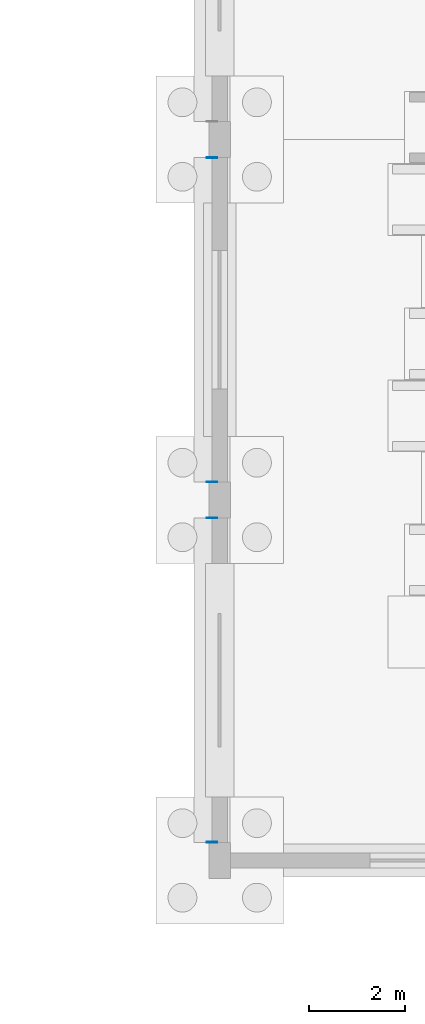
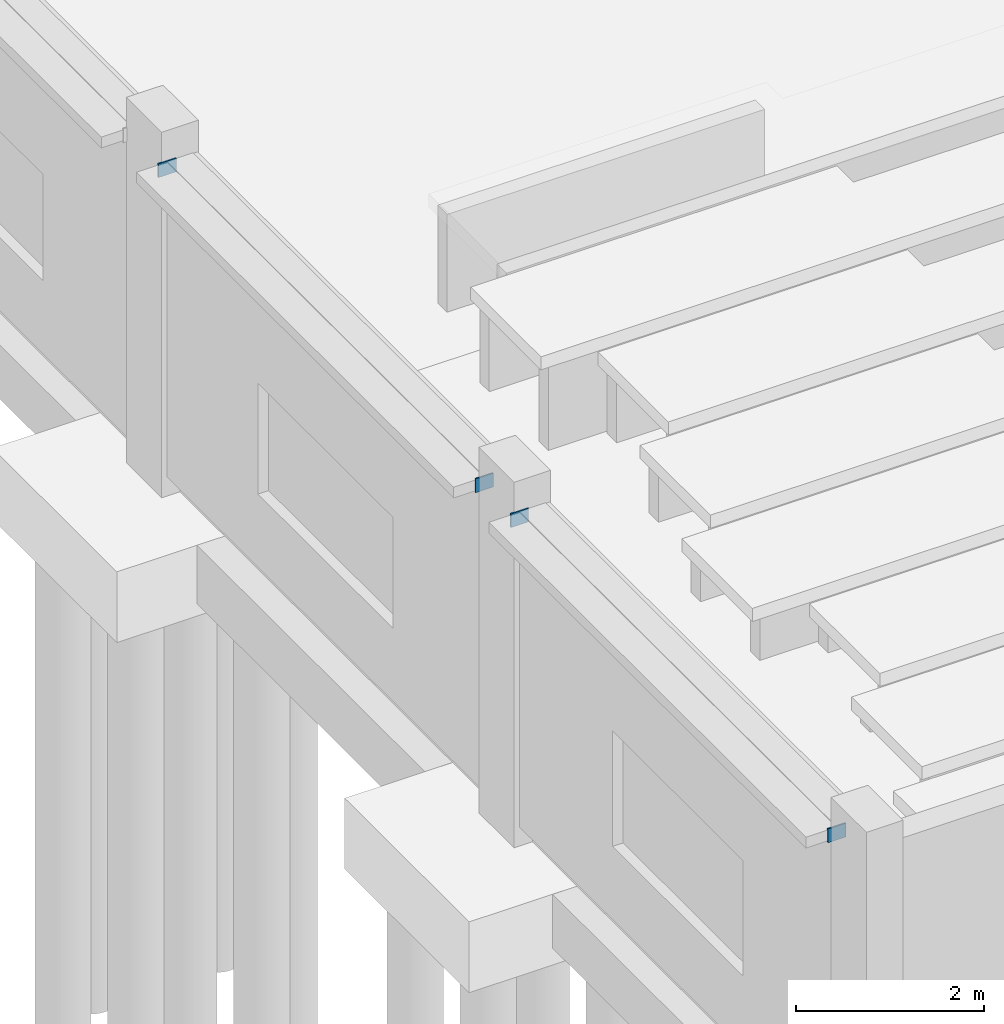
# One storey, part 58 of 93: 4 plates.
"""IFC4 building model written with IfcOpenShell, lengths in metres."""

from ifc_helpers import new_model, si_unit, direction, frame, origin, origin_2d, place, context, subcontext, project, spatial, rectangle, extrude, material, layer, layer_set, type_object, element, save


model = new_model("IFC4")

# Units and contexts
model_context = context("Model", 3, precision=1e-05, world=origin(), true_north=direction((0.0, 1.0)))
body_context = subcontext(model_context, "Body", "Model", "MODEL_VIEW")
ifc_project = project(units=[si_unit("LENGTHUNIT", "METRE"), si_unit("AREAUNIT", "SQUARE_METRE"), si_unit("VOLUMEUNIT", "CUBIC_METRE"), si_unit("PLANEANGLEUNIT", "RADIAN"), si_unit("MASSUNIT", "GRAM", prefix="KILO")], contexts=[model_context])

# Site, building, storey
site_placement = place(None, origin())
site = spatial("IfcSite", under=ifc_project, at=site_placement, CompositionType="ELEMENT")
building_placement = place(site_placement, origin())
building = spatial("IfcBuilding", under=site, at=building_placement, Name="Marnridge Secondary College", CompositionType="ELEMENT")
storey_placement = place(building_placement, origin())
storey = spatial("IfcBuildingStorey", under=building, at=storey_placement, Name="L00", CompositionType="ELEMENT", Elevation=0.0)

# Plates
ifc_material = material(Name="Structural steel plate Grade 350 (AS/NZS 3678, fy = 350 MPa <=12mm, 340 MPa 12-20mm, 330 MPa 20-50mm)", Category="steel")
ifc_layer = layer(ifc_material, 0.02392578125)
ifc_layer_set = layer_set([ifc_layer], Name="PT-GUS-GSN2")
plate_type = type_object("IfcPlateType", Name="PT-GUS-GSN2", PredefinedType="USERDEFINED", material=ifc_layer_set)
for number, where, z_axis, x_axis, name in (
    (1, (62.840087890625, 0.375, 3.93017578125), (0.0, 0.0, 1.0), (1.0, 0.0, 0.0), "Solar fin end bracket plate SFN-0012-BP1"),
    (2, (62.840087890625, 7.125, 3.93017578125), (0.0, 0.0, 1.0), (1.0, 0.0, 0.0), "Solar fin end bracket plate SFN-0012-BP2"),
    (3, (62.840087890625, 7.875, 3.93017578125), (0.0, 0.0, 1.0), (1.0, 0.0, 0.0), "Solar fin end bracket plate SFN-0013-BP1"),
    (4, (62.840087890625, 14.625, 3.93017578125), (0.0, 0.0, 1.0), (1.0, 0.0, 0.0), "Solar fin end bracket plate SFN-0013-BP2"),
):
    element("IfcPlate", number, at=place(storey_placement, frame(where, z_axis=z_axis, x_axis=x_axis)), inside=storey, type_object=plate_type, Name=name, ObjectType="GUSSET PLATE", PredefinedType="USERDEFINED", context=body_context, shape_type="SweptSolid", body=[
        extrude(rectangle(XDim=0.219970703125, YDim=0.01806640625, at=origin_2d()), origin(), (0.0, 0.0, 1.0), 0.179931640625),
    ])

save(model, "model.ifc")
